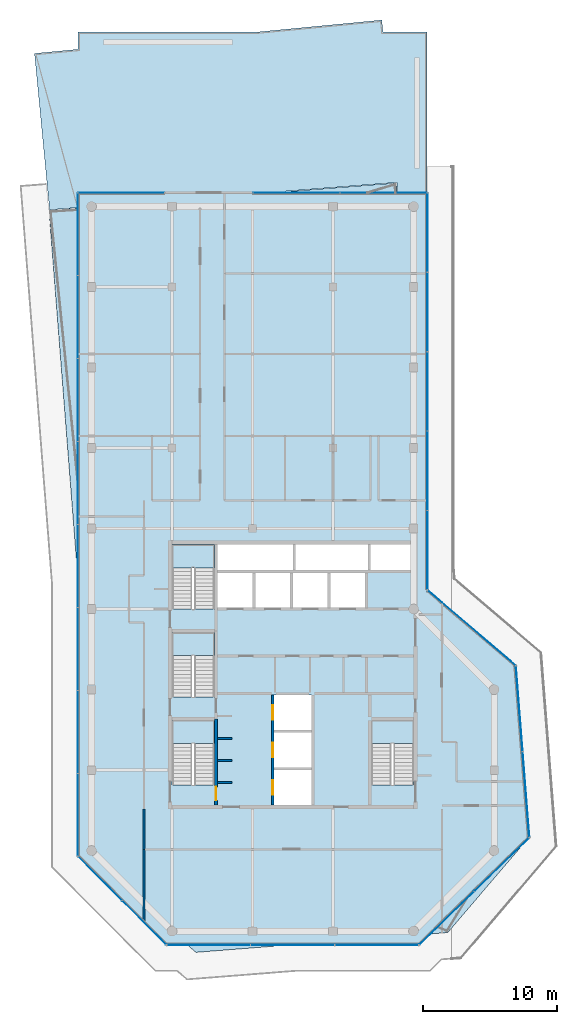
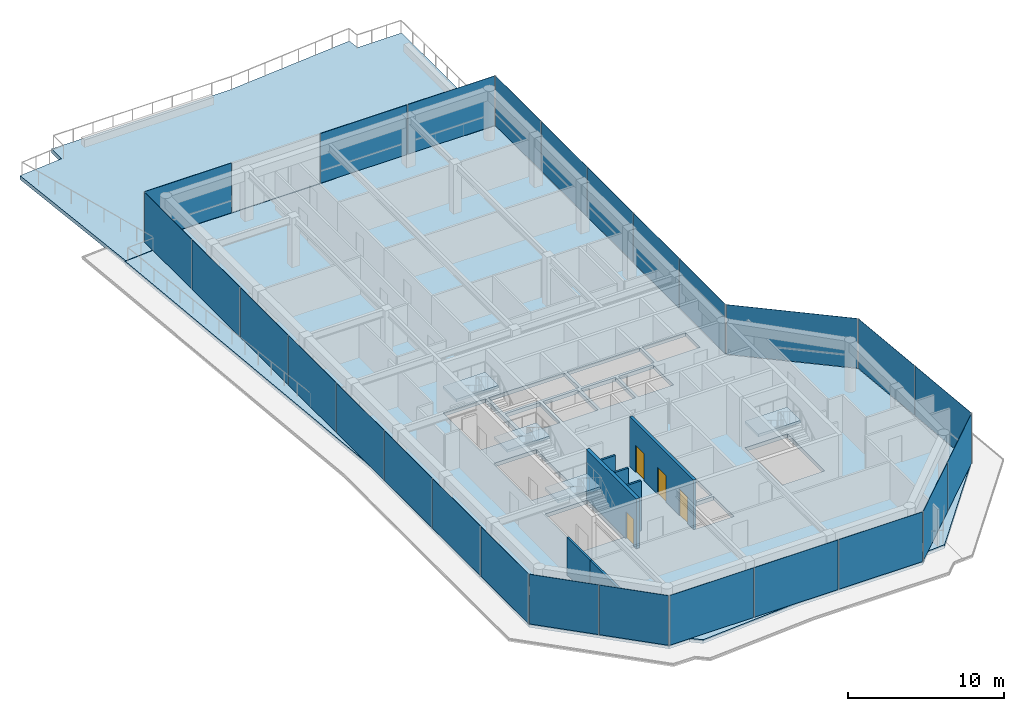
# One storey, part 15 of 20: 26 plates, 7 walls, 6 slabs, 4 doors, 4 openings, 13 elements without a shape of their own.
"""IFC4 building model written with IfcOpenShell, lengths in metres."""

from ifc_helpers import new_model, si_unit, direction, frame, frame_2d, origin, origin_2d, place, context, subcontext, project, spatial, polyline, rectangle, outline, extrude, material, layer, layer_set, type_object, element, fill, aggregate, save


model = new_model("IFC4")

# Units and contexts
model_context = context("Model", 3, precision=1e-05, world=origin(), true_north=direction((0.0, 1.0)))
body_context = subcontext(model_context, "Body", "Model", "MODEL_VIEW")
ifc_project = project(units=[si_unit("LENGTHUNIT", "METRE"), si_unit("AREAUNIT", "SQUARE_METRE"), si_unit("VOLUMEUNIT", "CUBIC_METRE"), si_unit("PLANEANGLEUNIT", "RADIAN"), si_unit("MASSUNIT", "GRAM", prefix="KILO")], contexts=[model_context])

# Site, building, storey
site_placement = place(None, origin())
site = spatial("IfcSite", under=ifc_project, at=site_placement, CompositionType="ELEMENT")
building_placement = place(site_placement, origin())
building = spatial("IfcBuilding", under=site, at=building_placement, Name="Welwitschia Terrace Campus", CompositionType="ELEMENT")
storey_placement = place(building_placement, frame((0.0, 0.0, 314.60009765625)))
storey = spatial("IfcBuildingStorey", under=building, at=storey_placement, Name="L70", CompositionType="ELEMENT", Elevation=314.60009765625)

# Curtain wall, plates
ifc_material_1 = material(Name="Bronze anodised aluminium", Category="aluminium")
ifc_layer_1 = layer(ifc_material_1, 0.10009765625)
ifc_layer_set_1 = layer_set([ifc_layer_1], Name="Bronze anodised aluminium")
curtain_wall_type = type_object("IfcCurtainWallType", Name="Curtain wall CW5 crown 6000", PredefinedType="NOTDEFINED", material=ifc_layer_set_1)
curtain_wall_1_placement = place(storey_placement, origin())
curtain_wall_1 = element("IfcCurtainWall", 1, at=curtain_wall_1_placement, inside=storey, type_object=curtain_wall_type, Name="CW L70.0.0", PredefinedType="NOTDEFINED")
ifc_material_2 = material(Name="Tinted bronze-grey glass", Category="glass")
ifc_layer_2 = layer(ifc_material_2, 0.02392578125)
ifc_layer_set_2 = layer_set([ifc_layer_2], Name="Tinted bronze-grey glass")
plate_type = type_object("IfcPlateType", Name="Glass panel 24 tinted", PredefinedType="CURTAIN_PANEL", material=ifc_layer_set_2)
plate_1_placement = place(storey_placement, frame((0.629638671875, -0.08642578125, 0.0), z_axis=(0.0, 0.0, 1.0), x_axis=(0.707106781187, -0.707106781187, 0.0)))
plate_1 = element("IfcPlate", 2, at=plate_1_placement, type_object=plate_type, Name="Panel L70.0.0.0", PredefinedType="CURTAIN_PANEL", context=body_context, shape_type="SweptSolid", body=[
    extrude(rectangle(XDim=4.59423828125, YDim=0.02392578125, at=origin_2d()), origin(), (0.0, 0.0, 1.0), 3.89990234375),
])
plate_2_placement = place(storey_placement, frame((3.91357421875, -3.370361328125, 0.0), z_axis=(0.0, 0.0, 1.0), x_axis=(0.707106781187, -0.707106781187, 0.0)))
plate_2 = element("IfcPlate", 3, at=plate_2_placement, type_object=plate_type, Name="Panel L70.0.0.1", PredefinedType="CURTAIN_PANEL", context=body_context, shape_type="SweptSolid", body=[
    extrude(rectangle(XDim=4.59423828125, YDim=0.02392578125, at=origin_2d()), origin(), (0.0, 0.0, 1.0), 3.89990234375),
])
aggregate(curtain_wall_1, [plate_1, plate_2])

curtain_wall_2_placement = place(storey_placement, origin())
curtain_wall_2 = element("IfcCurtainWall", 4, at=curtain_wall_2_placement, inside=storey, type_object=curtain_wall_type, Name="CW L70.1.0", PredefinedType="NOTDEFINED")
plate_3_placement = place(storey_placement, frame((8.724365234375, -5.030029296875, 0.0), z_axis=(0.0, 0.0, 1.0), x_axis=(1.0, 0.0, 0.0)))
plate_3 = element("IfcPlate", 5, at=plate_3_placement, type_object=plate_type, Name="Panel L70.1.0.0", PredefinedType="CURTAIN_PANEL", context=body_context, shape_type="SweptSolid", body=[
    extrude(rectangle(XDim=6.201904296875, YDim=0.02392578125, at=origin_2d()), origin(), (0.0, 0.0, 1.0), 3.89990234375),
])
plate_4_placement = place(storey_placement, frame((14.98876953125, -5.030029296875, 0.0), z_axis=(0.0, 0.0, 1.0), x_axis=(1.0, 0.0, 0.0)))
plate_4 = element("IfcPlate", 6, at=plate_4_placement, type_object=plate_type, Name="Panel L70.1.0.1", PredefinedType="CURTAIN_PANEL", context=body_context, shape_type="SweptSolid", body=[
    extrude(rectangle(XDim=6.22705078125, YDim=0.02392578125, at=origin_2d()), origin(), (0.0, 0.0, 1.0), 3.89990234375),
])
plate_5_placement = place(storey_placement, frame((21.25341796875, -5.030029296875, 0.0), z_axis=(0.0, 0.0, 1.0), x_axis=(1.0, 0.0, 0.0)))
plate_5 = element("IfcPlate", 7, at=plate_5_placement, type_object=plate_type, Name="Panel L70.1.0.2", PredefinedType="CURTAIN_PANEL", context=body_context, shape_type="SweptSolid", body=[
    extrude(rectangle(XDim=6.201904296875, YDim=0.02392578125, at=origin_2d()), origin(), (0.0, 0.0, 1.0), 3.89990234375),
])
aggregate(curtain_wall_2, [plate_3, plate_4, plate_5])

curtain_wall_3_placement = place(storey_placement, origin())
curtain_wall_3 = element("IfcCurtainWall", 8, at=curtain_wall_3_placement, inside=storey, type_object=curtain_wall_type, Name="CW L70.2.0", PredefinedType="NOTDEFINED")
plate_6_placement = place(storey_placement, frame((26.469482421875, -3.021484375, 0.0), z_axis=(0.0, 0.0, 1.0), x_axis=(0.716866964255, 0.697209979532, 0.0)))
plate_6 = element("IfcPlate", 9, at=plate_6_placement, type_object=plate_type, Name="Panel L70.2.0.0", PredefinedType="CURTAIN_PANEL", context=body_context, shape_type="SweptSolid", body=[
    extrude(rectangle(XDim=5.661865234375, YDim=0.02392578125, at=origin_2d()), origin(), (0.0, 0.0, 1.0), 3.89990234375),
])
plate_7_placement = place(storey_placement, frame((30.564208984375, 0.9609375, 0.0), z_axis=(0.0, 0.0, 1.0), x_axis=(0.716866964255, 0.697209979532, 0.0)))
plate_7 = element("IfcPlate", 10, at=plate_7_placement, type_object=plate_type, Name="Panel L70.2.0.1", PredefinedType="CURTAIN_PANEL", context=body_context, shape_type="SweptSolid", body=[
    extrude(rectangle(XDim=5.661865234375, YDim=0.02392578125, at=origin_2d()), origin(), (0.0, 0.0, 1.0), 3.89990234375),
])
aggregate(curtain_wall_3, [plate_6, plate_7])

curtain_wall_4_placement = place(storey_placement, origin())
curtain_wall_4 = element("IfcCurtainWall", 11, at=curtain_wall_4_placement, inside=storey, type_object=curtain_wall_type, Name="CW L70.3.0", PredefinedType="NOTDEFINED")
plate_8_placement = place(storey_placement, frame((32.376220703125, 6.185302734375, 0.0), z_axis=(0.0, 0.0, 1.0), x_axis=(-0.078459095728, 0.996917333733, 0.0)))
plate_8 = element("IfcPlate", 12, at=plate_8_placement, type_object=plate_type, Name="Panel L70.3.0.0", PredefinedType="CURTAIN_PANEL", context=body_context, shape_type="SweptSolid", body=[
    extrude(rectangle(XDim=6.3515625, YDim=0.02392578125, at=origin_2d()), origin(), (0.0, 0.0, 1.0), 3.89990234375),
])
plate_9_placement = place(storey_placement, frame((31.8740234375, 12.5673828125, 0.0), z_axis=(0.0, 0.0, 1.0), x_axis=(-0.078459095728, 0.996917333733, 0.0)))
plate_9 = element("IfcPlate", 13, at=plate_9_placement, type_object=plate_type, Name="Panel L70.3.0.1", PredefinedType="CURTAIN_PANEL", context=body_context, shape_type="SweptSolid", body=[
    extrude(rectangle(XDim=6.3515625, YDim=0.02392578125, at=origin_2d()), origin(), (0.0, 0.0, 1.0), 3.89990234375),
])
aggregate(curtain_wall_4, [plate_8, plate_9])

# Curtain wall, plate
curtain_wall_5_placement = place(storey_placement, origin())
curtain_wall_5 = element("IfcCurtainWall", 14, at=curtain_wall_5_placement, inside=storey, type_object=curtain_wall_type, Name="CW L70.4.0", PredefinedType="NOTDEFINED")
plate_10_placement = place(storey_placement, frame((28.325439453125, 18.59765625, 0.0), z_axis=(0.0, 0.0, 1.0), x_axis=(-0.7604059656, 0.64944804833, 0.0)))
plate_10 = element("IfcPlate", 15, at=plate_10_placement, type_object=plate_type, Name="Panel L70.4.0.0", PredefinedType="CURTAIN_PANEL", context=body_context, shape_type="SweptSolid", body=[
    extrude(rectangle(XDim=8.567626953125, YDim=0.02392578125, at=origin_2d()), origin(), (0.0, 0.0, 1.0), 3.89990234375),
])
aggregate(curtain_wall_5, [plate_10])

# Curtain wall, plates
curtain_wall_6_placement = place(storey_placement, origin())
curtain_wall_6 = element("IfcCurtainWall", 16, at=curtain_wall_6_placement, inside=storey, type_object=curtain_wall_type, Name="CW L70.5.0", PredefinedType="NOTDEFINED")
plate_11_placement = place(storey_placement, frame((25.030029296875, 24.386474609375, 0.0), z_axis=(0.0, 0.0, 1.0), x_axis=(0.0, 1.0, 0.0)))
plate_11 = element("IfcPlate", 17, at=plate_11_placement, type_object=plate_type, Name="Panel L70.5.0.0", PredefinedType="CURTAIN_PANEL", context=body_context, shape_type="SweptSolid", body=[
    extrude(rectangle(XDim=5.8486328125, YDim=0.02392578125, at=origin_2d()), origin(), (0.0, 0.0, 1.0), 3.89990234375),
])
plate_12_placement = place(storey_placement, frame((25.030029296875, 30.297607421875, 0.0), z_axis=(0.0, 0.0, 1.0), x_axis=(0.0, 1.0, 0.0)))
plate_12 = element("IfcPlate", 18, at=plate_12_placement, type_object=plate_type, Name="Panel L70.5.0.1", PredefinedType="CURTAIN_PANEL", context=body_context, shape_type="SweptSolid", body=[
    extrude(rectangle(XDim=5.87353515625, YDim=0.02392578125, at=origin_2d()), origin(), (0.0, 0.0, 1.0), 3.89990234375),
])
plate_13_placement = place(storey_placement, frame((25.030029296875, 36.22119140625, 0.0), z_axis=(0.0, 0.0, 1.0), x_axis=(0.0, 1.0, 0.0)))
plate_13 = element("IfcPlate", 19, at=plate_13_placement, type_object=plate_type, Name="Panel L70.5.0.2", PredefinedType="CURTAIN_PANEL", context=body_context, shape_type="SweptSolid", body=[
    extrude(rectangle(XDim=5.87353515625, YDim=0.02392578125, at=origin_2d()), origin(), (0.0, 0.0, 1.0), 3.89990234375),
])
plate_14_placement = place(storey_placement, frame((25.030029296875, 42.144775390625, 0.0), z_axis=(0.0, 0.0, 1.0), x_axis=(0.0, 1.0, 0.0)))
plate_14 = element("IfcPlate", 20, at=plate_14_placement, type_object=plate_type, Name="Panel L70.5.0.3", PredefinedType="CURTAIN_PANEL", context=body_context, shape_type="SweptSolid", body=[
    extrude(rectangle(XDim=5.87353515625, YDim=0.02392578125, at=origin_2d()), origin(), (0.0, 0.0, 1.0), 3.89990234375),
])
plate_15_placement = place(storey_placement, frame((25.030029296875, 48.0556640625, 0.0), z_axis=(0.0, 0.0, 1.0), x_axis=(0.0, 1.0, 0.0)))
plate_15 = element("IfcPlate", 21, at=plate_15_placement, type_object=plate_type, Name="Panel L70.5.0.4", PredefinedType="CURTAIN_PANEL", context=body_context, shape_type="SweptSolid", body=[
    extrude(rectangle(XDim=5.8486328125, YDim=0.02392578125, at=origin_2d()), origin(), (0.0, 0.0, 1.0), 3.89990234375),
])
aggregate(curtain_wall_6, [plate_11, plate_12, plate_13, plate_14, plate_15])

curtain_wall_7_placement = place(storey_placement, origin())
curtain_wall_7 = element("IfcCurtainWall", 22, at=curtain_wall_7_placement, inside=storey, type_object=curtain_wall_type, Name="CW L70.6.0", PredefinedType="NOTDEFINED")
plate_16_placement = place(storey_placement, frame((21.760009765625, 51.030029296875, 0.0), z_axis=(0.0, 0.0, 1.0), x_axis=(-1.0, 0.0, 0.0)))
plate_16 = element("IfcPlate", 23, at=plate_16_placement, type_object=plate_type, Name="Panel L70.6.0.0", PredefinedType="CURTAIN_PANEL", context=body_context, shape_type="SweptSolid", body=[
    extrude(rectangle(XDim=6.43994140625, YDim=0.02392578125, at=origin_2d()), origin(), (0.0, 0.0, 1.0), 3.89990234375),
])
plate_17_placement = place(storey_placement, frame((15.27001953125, 51.030029296875, 0.0), z_axis=(0.0, 0.0, 1.0), x_axis=(-1.0, 0.0, 0.0)))
plate_17 = element("IfcPlate", 24, at=plate_17_placement, type_object=plate_type, Name="Panel L70.6.0.1", PredefinedType="CURTAIN_PANEL", context=body_context, shape_type="SweptSolid", body=[
    extrude(rectangle(XDim=6.43994140625, YDim=0.02392578125, at=origin_2d()), origin(), (0.0, 0.0, 1.0), 3.89990234375),
])
aggregate(curtain_wall_7, [plate_16, plate_17])

# Curtain wall, plate
curtain_wall_8_placement = place(storey_placement, origin())
curtain_wall_8 = element("IfcCurtainWall", 25, at=curtain_wall_8_placement, inside=storey, type_object=curtain_wall_type, Name="CW L70.6.3", PredefinedType="NOTDEFINED")
plate_18_placement = place(storey_placement, frame((2.2275390625, 51.030029296875, 0.0), z_axis=(0.0, 0.0, 1.0), x_axis=(-1.0, 0.0, 0.0)))
plate_18 = element("IfcPlate", 26, at=plate_18_placement, type_object=plate_type, Name="Panel L70.6.3.0", PredefinedType="CURTAIN_PANEL", context=body_context, shape_type="SweptSolid", body=[
    extrude(rectangle(XDim=6.4150390625, YDim=0.02392578125, at=origin_2d()), origin(), (0.0, 0.0, 1.0), 3.89990234375),
])
aggregate(curtain_wall_8, [plate_18])

# Curtain wall, plates
curtain_wall_9_placement = place(storey_placement, origin())
curtain_wall_9 = element("IfcCurtainWall", 27, at=curtain_wall_9_placement, inside=storey, type_object=curtain_wall_type, Name="CW L70.7.0", PredefinedType="NOTDEFINED")
plate_19_placement = place(storey_placement, frame((-1.030029296875, 47.926513671875, 0.0), z_axis=(0.0, 0.0, 1.0), x_axis=(0.0, -1.0, 0.0)))
plate_19 = element("IfcPlate", 28, at=plate_19_placement, type_object=plate_type, Name="Panel L70.7.0.0", PredefinedType="CURTAIN_PANEL", context=body_context, shape_type="SweptSolid", body=[
    extrude(rectangle(XDim=6.107177734375, YDim=0.02392578125, at=origin_2d()), origin(), (0.0, 0.0, 1.0), 3.89990234375),
])
plate_20_placement = place(storey_placement, frame((-1.030029296875, 41.7568359375, 0.0), z_axis=(0.0, 0.0, 1.0), x_axis=(0.0, -1.0, 0.0)))
plate_20 = element("IfcPlate", 29, at=plate_20_placement, type_object=plate_type, Name="Panel L70.7.0.1", PredefinedType="CURTAIN_PANEL", context=body_context, shape_type="SweptSolid", body=[
    extrude(rectangle(XDim=6.132080078125, YDim=0.02392578125, at=origin_2d()), origin(), (0.0, 0.0, 1.0), 3.89990234375),
])
plate_21_placement = place(storey_placement, frame((-1.030029296875, 35.57470703125, 0.0), z_axis=(0.0, 0.0, 1.0), x_axis=(0.0, -1.0, 0.0)))
plate_21 = element("IfcPlate", 30, at=plate_21_placement, type_object=plate_type, Name="Panel L70.7.0.2", PredefinedType="CURTAIN_PANEL", context=body_context, shape_type="SweptSolid", body=[
    extrude(rectangle(XDim=6.132080078125, YDim=0.02392578125, at=origin_2d()), origin(), (0.0, 0.0, 1.0), 3.89990234375),
])
plate_22_placement = place(storey_placement, frame((-1.030029296875, 29.392822265625, 0.0), z_axis=(0.0, 0.0, 1.0), x_axis=(0.0, -1.0, 0.0)))
plate_22 = element("IfcPlate", 31, at=plate_22_placement, type_object=plate_type, Name="Panel L70.7.0.3", PredefinedType="CURTAIN_PANEL", context=body_context, shape_type="SweptSolid", body=[
    extrude(rectangle(XDim=6.132080078125, YDim=0.02392578125, at=origin_2d()), origin(), (0.0, 0.0, 1.0), 3.89990234375),
])
plate_23_placement = place(storey_placement, frame((-1.030029296875, 23.210693359375, 0.0), z_axis=(0.0, 0.0, 1.0), x_axis=(0.0, -1.0, 0.0)))
plate_23 = element("IfcPlate", 32, at=plate_23_placement, type_object=plate_type, Name="Panel L70.7.0.4", PredefinedType="CURTAIN_PANEL", context=body_context, shape_type="SweptSolid", body=[
    extrude(rectangle(XDim=6.132080078125, YDim=0.02392578125, at=origin_2d()), origin(), (0.0, 0.0, 1.0), 3.89990234375),
])
plate_24_placement = place(storey_placement, frame((-1.030029296875, 17.028564453125, 0.0), z_axis=(0.0, 0.0, 1.0), x_axis=(0.0, -1.0, 0.0)))
plate_24 = element("IfcPlate", 33, at=plate_24_placement, type_object=plate_type, Name="Panel L70.7.0.5", PredefinedType="CURTAIN_PANEL", context=body_context, shape_type="SweptSolid", body=[
    extrude(rectangle(XDim=6.132080078125, YDim=0.02392578125, at=origin_2d()), origin(), (0.0, 0.0, 1.0), 3.89990234375),
])
plate_25_placement = place(storey_placement, frame((-1.030029296875, 10.846435546875, 0.0), z_axis=(0.0, 0.0, 1.0), x_axis=(0.0, -1.0, 0.0)))
plate_25 = element("IfcPlate", 34, at=plate_25_placement, type_object=plate_type, Name="Panel L70.7.0.6", PredefinedType="CURTAIN_PANEL", context=body_context, shape_type="SweptSolid", body=[
    extrude(rectangle(XDim=6.132080078125, YDim=0.02392578125, at=origin_2d()), origin(), (0.0, 0.0, 1.0), 3.89990234375),
])
plate_26_placement = place(storey_placement, frame((-1.030029296875, 4.677001953125, 0.0), z_axis=(0.0, 0.0, 1.0), x_axis=(0.0, -1.0, 0.0)))
plate_26 = element("IfcPlate", 35, at=plate_26_placement, type_object=plate_type, Name="Panel L70.7.0.7", PredefinedType="CURTAIN_PANEL", context=body_context, shape_type="SweptSolid", body=[
    extrude(rectangle(XDim=6.107177734375, YDim=0.02392578125, at=origin_2d()), origin(), (0.0, 0.0, 1.0), 3.89990234375),
])
aggregate(curtain_wall_9, [plate_19, plate_20, plate_21, plate_22, plate_23, plate_24, plate_25, plate_26])

# Stair, slab
ifc_material_3 = material(Name="Concrete C40/50", Category="concrete")
stair_type = type_object("IfcStairType", Name="Stair 24R 175 W1500", PredefinedType="HALF_TURN_STAIR", material=ifc_material_3)
stair_1_placement = place(storey_placement, origin())
stair_1 = element("IfcStair", 36, at=stair_1_placement, inside=storey, type_object=stair_type, Name="L70 Exit stair S1", PredefinedType="HALF_TURN_STAIR")
ifc_material_4 = material(Name="Concrete C40/50", Category="concrete")
ifc_layer_3 = layer(ifc_material_4, 0.199951171875)
ifc_layer_set_3 = layer_set([ifc_layer_3], Name="Concrete C40/50")
slab_type_1 = type_object("IfcSlabType", Name="Stair landing RC", PredefinedType="LANDING", material=ifc_layer_set_3)
slab_1_placement = place(storey_placement, frame((0.0, 0.0, 1.89990234375)))
slab_1 = element("IfcSlab", 37, at=slab_1_placement, type_object=slab_type_1, Name="S1 landing 1", PredefinedType="LANDING", context=body_context, shape_type="SweptSolid", body=[
    extrude(outline(polyline([(9.14990234375, 9.97998046875), (9.14990234375, 11.699951171875), (6.0, 11.699951171875), (6.0, 9.97998046875), (9.14990234375, 9.97998046875)])), origin(), (0.0, 0.0, 1.0), 0.199951171875),
])
aggregate(stair_1, [slab_1])

stair_2_placement = place(storey_placement, origin())
stair_2 = element("IfcStair", 38, at=stair_2_placement, inside=storey, type_object=stair_type, Name="L70 Exit stair S3", PredefinedType="HALF_TURN_STAIR")
slab_2_placement = place(storey_placement, frame((0.0, 0.0, 1.89990234375)))
slab_2 = element("IfcSlab", 39, at=slab_2_placement, type_object=slab_type_1, Name="S3 landing 1", PredefinedType="LANDING", context=body_context, shape_type="SweptSolid", body=[
    extrude(outline(polyline([(9.14990234375, 16.530029296875), (9.14990234375, 18.25), (6.0, 18.25), (6.0, 16.530029296875), (9.14990234375, 16.530029296875)])), origin(), (0.0, 0.0, 1.0), 0.199951171875),
])
aggregate(stair_2, [slab_2])

stair_3_placement = place(storey_placement, origin())
stair_3 = element("IfcStair", 40, at=stair_3_placement, inside=storey, type_object=stair_type, Name="L70 Exit stair S4", PredefinedType="HALF_TURN_STAIR")
slab_3_placement = place(storey_placement, frame((0.0, 0.0, 1.89990234375)))
slab_3 = element("IfcSlab", 41, at=slab_3_placement, type_object=slab_type_1, Name="S4 landing 1", PredefinedType="LANDING", context=body_context, shape_type="SweptSolid", body=[
    extrude(outline(polyline([(9.14990234375, 23.080078125), (9.14990234375, 24.800048828125), (6.0, 24.800048828125), (6.0, 23.080078125), (9.14990234375, 23.080078125)])), origin(), (0.0, 0.0, 1.0), 0.199951171875),
])
aggregate(stair_3, [slab_3])

stair_4_placement = place(storey_placement, origin())
stair_4 = element("IfcStair", 42, at=stair_4_placement, inside=storey, type_object=stair_type, Name="L70 Exit stair S2", PredefinedType="HALF_TURN_STAIR")
slab_4_placement = place(storey_placement, frame((0.0, 0.0, 1.89990234375)))
slab_4 = element("IfcSlab", 43, at=slab_4_placement, type_object=slab_type_1, Name="S2 landing 1", PredefinedType="LANDING", context=body_context, shape_type="SweptSolid", body=[
    extrude(outline(polyline([(24.0, 9.97998046875), (24.0, 11.699951171875), (20.85009765625, 11.699951171875), (20.85009765625, 9.97998046875), (24.0, 9.97998046875)])), origin(), (0.0, 0.0, 1.0), 0.199951171875),
])
aggregate(stair_4, [slab_4])

# Slabs
ifc_material_5 = material(Name="Concrete C40/50", Category="concrete")
ifc_layer_4 = layer(ifc_material_5, 0.300048828125)
ifc_layer_set_4 = layer_set([ifc_layer_4], Name="Concrete C40/50")
slab_type_2 = type_object("IfcSlabType", Name="Suspended floor slab 300", PredefinedType="FLOOR", material=ifc_layer_set_4)
slab_5_placement = place(storey_placement, frame((0.0, 0.0, -0.300048828125)))
element("IfcSlab", 44, at=slab_5_placement, inside=storey, type_object=slab_type_2, Name="Floor slab L70", PredefinedType="FLOOR", context=body_context, shape_type="SweptSolid", body=[
    extrude(outline(polyline([(-3.126708984375, 49.73486328125), (-3.12548828125, 49.719970703125), (-0.998779296875, 49.887451171875), (-0.997314453125, 49.887451171875), (-0.995849609375, 49.887939453125), (-0.994384765625, 49.888427734375), (-0.9931640625, 49.888916015625), (-0.991943359375, 49.8896484375), (-0.99072265625, 49.890625), (-0.989501953125, 49.8916015625), (-0.988525390625, 49.892578125), (-0.987548828125, 49.893798828125), (-0.98681640625, 49.895263671875), (-0.986083984375, 49.896484375), (-0.985595703125, 49.89794921875), (-0.9853515625, 49.8994140625), (-0.985107421875, 49.90087890625), (-0.985107421875, 49.90234375), (-0.985107421875, 50.985107421875), (12.947509765625, 50.985107421875), (12.94873046875, 50.985107421875), (22.72607421875, 51.754638671875), (22.78564453125, 50.998779296875), (22.785888671875, 50.997314453125), (22.7861328125, 50.995849609375), (22.78662109375, 50.994384765625), (22.787353515625, 50.9931640625), (22.7880859375, 50.991943359375), (22.788818359375, 50.99072265625), (22.789794921875, 50.989501953125), (22.791015625, 50.988525390625), (22.792236328125, 50.987548828125), (22.79345703125, 50.98681640625), (22.794921875, 50.986083984375), (22.796142578125, 50.985595703125), (22.797607421875, 50.9853515625), (22.799072265625, 50.985107421875), (22.800537109375, 50.985107421875), (25.0, 50.985107421875), (25.0, 23.05419921875), (25.1396484375, 21.279296875), (31.592041015625, 15.768310546875), (32.598388671875, 2.9794921875), (26.5498046875, -4.1025390625), (25.205810546875, -4.20849609375), (24.414306640625, -5.0), (15.147705078125, -5.0), (7.779296875, -5.579833984375), (7.100341796875, -5.0), (5.585693359375, -5.0), (-1.0, 1.585693359375), (-1.0, 22.03271484375), (-3.179931640625, 49.730712890625), (-3.126708984375, 49.73486328125)]), holes=[polyline([(13.60009765625, 5.39990234375), (16.39990234375, 5.39990234375), (16.39990234375, 8.0), (13.60009765625, 8.0), (13.60009765625, 5.39990234375)]), polyline([(6.0, 11.699951171875), (6.0, 6.902099609375), (9.14990234375, 6.902099609375), (9.14990234375, 11.699951171875), (6.0, 11.699951171875)]), polyline([(6.0, 18.25), (6.0, 13.451904296875), (9.14990234375, 13.451904296875), (9.14990234375, 18.25), (6.0, 18.25)]), polyline([(9.39990234375, 22.699951171875), (9.39990234375, 20.10009765625), (12.0, 20.10009765625), (12.0, 22.699951171875), (9.39990234375, 22.699951171875)]), polyline([(12.199951171875, 22.699951171875), (12.199951171875, 20.10009765625), (14.800048828125, 20.10009765625), (14.800048828125, 22.699951171875), (12.199951171875, 22.699951171875)]), polyline([(6.0, 24.800048828125), (6.0, 20.001953125), (9.14990234375, 20.001953125), (9.14990234375, 24.800048828125), (6.0, 24.800048828125)]), polyline([(9.39990234375, 24.800048828125), (9.39990234375, 22.89990234375), (15.0, 22.89990234375), (15.0, 24.800048828125), (9.39990234375, 24.800048828125)]), polyline([(20.85009765625, 6.902099609375), (24.0, 6.902099609375), (24.0, 11.699951171875), (20.85009765625, 11.699951171875), (20.85009765625, 6.902099609375)]), polyline([(13.60009765625, 10.800048828125), (13.60009765625, 8.199951171875), (16.39990234375, 8.199951171875), (16.39990234375, 10.800048828125), (13.60009765625, 10.800048828125)]), polyline([(13.60009765625, 13.60009765625), (13.60009765625, 11.0), (16.39990234375, 11.0), (16.39990234375, 13.60009765625), (13.60009765625, 13.60009765625)]), polyline([(15.0, 22.699951171875), (15.0, 20.10009765625), (17.60009765625, 20.10009765625), (17.60009765625, 22.699951171875), (15.0, 22.699951171875)]), polyline([(17.800048828125, 22.699951171875), (17.800048828125, 20.10009765625), (20.39990234375, 20.10009765625), (20.39990234375, 22.699951171875), (17.800048828125, 22.699951171875)]), polyline([(15.199951171875, 24.800048828125), (15.199951171875, 22.89990234375), (20.60009765625, 22.89990234375), (20.60009765625, 24.800048828125), (15.199951171875, 24.800048828125)]), polyline([(20.800048828125, 24.800048828125), (20.800048828125, 22.89990234375), (24.0, 22.89990234375), (24.0, 24.800048828125), (20.800048828125, 24.800048828125)])]), origin(), (0.0, 0.0, 1.0), 0.300048828125),
])
ifc_material_6 = material(Name="Concrete C40/50", Category="concrete")
ifc_layer_5 = layer(ifc_material_6, 0.300048828125)
ifc_layer_set_5 = layer_set([ifc_layer_5], Name="Concrete C40/50")
slab_type_3 = type_object("IfcSlabType", Name="Terrace slab 300", PredefinedType="FLOOR", material=ifc_layer_set_5)
slab_6_placement = place(storey_placement, frame((0.0, 0.0, -0.300048828125)))
element("IfcSlab", 45, at=slab_6_placement, inside=storey, type_object=slab_type_3, Name="Terrace slab", PredefinedType="FLOOR", context=body_context, shape_type="SweptSolid", body=[
    extrude(outline(polyline([(-4.24853515625, 61.405517578125), (-1.0, 61.71826171875), (-1.0, 63.0), (12.310546875, 63.0), (21.6318359375, 63.8974609375), (21.71826171875, 63.0), (25.0, 63.0), (25.0, 51.014892578125), (22.814453125, 51.014892578125), (22.7548828125, 51.77197265625), (22.754638671875, 51.7734375), (22.75439453125, 51.774658203125), (22.75390625, 51.776123046875), (22.75341796875, 51.777587890625), (22.752685546875, 51.77880859375), (22.751708984375, 51.780029296875), (22.750732421875, 51.781005859375), (22.749755859375, 51.781982421875), (22.74853515625, 51.782958984375), (22.747314453125, 51.78369140625), (22.74609375, 51.784423828125), (22.74462890625, 51.784912109375), (22.7431640625, 51.785400390625), (22.74169921875, 51.78564453125), (22.740234375, 51.78564453125), (22.73876953125, 51.78564453125), (12.947021484375, 51.014892578125), (-1.0, 51.014892578125), (-1.00146484375, 51.014892578125), (-1.0029296875, 51.0146484375), (-1.00439453125, 51.014404296875), (-1.005859375, 51.013916015625), (-1.007080078125, 51.01318359375), (-1.00830078125, 51.012451171875), (-1.009521484375, 51.011474609375), (-1.010498046875, 51.010498046875), (-1.011474609375, 51.009521484375), (-1.012451171875, 51.00830078125), (-1.01318359375, 51.007080078125), (-1.013916015625, 51.005859375), (-1.014404296875, 51.00439453125), (-1.0146484375, 51.0029296875), (-1.014892578125, 51.00146484375), (-1.014892578125, 51.0), (-1.014892578125, 49.916259765625), (-3.126220703125, 49.75), (-4.24853515625, 61.405517578125)])), origin(), (0.0, 0.0, 1.0), 0.300048828125),
])

# Walls
ifc_material_7 = material(Name="Concrete C50/60", Category="concrete")
ifc_layer_6 = layer(ifc_material_7, 0.14990234375)
ifc_layer_set_6 = layer_set([ifc_layer_6], Name="Concrete C50/60")
wall_type_1 = type_object("IfcWallType", Name="Core wall 150 Concrete C50/60", PredefinedType="SHEAR", material=ifc_layer_set_6)
for number, where, z_axis, x_axis, name in (
    (46, (9.39990234375, 7.074951171875, 0.0), (0.0, 0.0, 1.0), (1.0, 0.0, 0.0), "Core wall"),
    (47, (9.39990234375, 8.72509765625, 0.0), (0.0, 0.0, 1.0), (1.0, 0.0, 0.0), "Core wall"),
    (48, (9.39990234375, 10.375, 0.0), (0.0, 0.0, 1.0), (1.0, 0.0, 0.0), "Core wall"),
):
    element("IfcWall", number, at=place(storey_placement, frame(where, z_axis=z_axis, x_axis=x_axis)), inside=storey, type_object=wall_type_1, Name=name, PredefinedType="SHEAR", context=body_context, shape_type="SweptSolid", body=[
        extrude(rectangle(XDim=1.050048828125, YDim=0.14990234375, at=frame_2d((0.52490234375, 0.0))), origin(), (0.0, 0.0, 1.0), 3.89990234375),
    ])

# Wall, openings, doors
ifc_material_8 = material(Name="Concrete C50/60", Category="concrete")
ifc_layer_7 = layer(ifc_material_8, 0.199951171875)
ifc_layer_set_7 = layer_set([ifc_layer_7], Name="Concrete C50/60")
wall_type_2 = type_object("IfcWallType", Name="Core wall 200 Concrete C50/60", PredefinedType="SHEAR", material=ifc_layer_set_7)
wall_1_placement = place(storey_placement, frame((13.5, 5.39990234375, 0.0), z_axis=(0.0, 0.0, 1.0), x_axis=(0.0, 1.0, 0.0)))
wall_1 = element("IfcWall", 49, at=wall_1_placement, inside=storey, type_object=wall_type_2, Name="Core wall", PredefinedType="SHEAR", context=body_context, shape_type="SweptSolid", body=[
    extrude(rectangle(XDim=8.2001953125, YDim=0.199951171875, at=frame_2d((4.10009765625, 0.0))), origin(), (0.0, 0.0, 1.0), 3.89990234375),
])
opening_1_placement = place(wall_1_placement, frame((0.75, 0.0, 0.0)))
opening_1 = element("IfcOpeningElement", 50, at=opening_1_placement, cuts=wall_1, Name="Opening LD", PredefinedType="OPENING", context=body_context, shape_type="SweptSolid", body=[
    extrude(rectangle(XDim=1.10009765625, YDim=2.10009765625, at=frame_2d((0.550048828125, 1.050048828125))), frame((0.0, 0.10986328125, 0.0), z_axis=(0.0, -1.0, 0.0), x_axis=(1.0, 0.0, 0.0)), (0.0, 0.0, 1.0), 0.219970703125),
])
opening_2_placement = place(wall_1_placement, frame((3.550048828125, 0.0, 0.0)))
opening_2 = element("IfcOpeningElement", 51, at=opening_2_placement, cuts=wall_1, Name="Opening LD", PredefinedType="OPENING", context=body_context, shape_type="SweptSolid", body=[
    extrude(rectangle(XDim=1.10009765625, YDim=2.10009765625, at=frame_2d((0.550048828125, 1.050048828125))), frame((0.0, 0.10986328125, 0.0), z_axis=(0.0, -1.0, 0.0), x_axis=(1.0, 0.0, 0.0)), (0.0, 0.0, 1.0), 0.219970703125),
])
opening_3_placement = place(wall_1_placement, frame((6.35009765625, 0.0, 0.0)))
opening_3 = element("IfcOpeningElement", 52, at=opening_3_placement, cuts=wall_1, Name="Opening LD", PredefinedType="OPENING", context=body_context, shape_type="SweptSolid", body=[
    extrude(rectangle(XDim=1.10009765625, YDim=2.10009765625, at=frame_2d((0.550048828125, 1.050048828125))), frame((0.0, 0.10986328125, 0.0), z_axis=(0.0, -1.0, 0.0), x_axis=(1.0, 0.0, 0.0)), (0.0, 0.0, 1.0), 0.219970703125),
])
ifc_material_9 = material(Name="Stainless steel 304", Category="steel")
door_type_1 = type_object("IfcDoorType", Name="Lift landing door", OperationType="DOUBLE_DOOR_SLIDING", PredefinedType="DOOR", material=ifc_material_9)
door_1_placement = place(opening_1_placement, origin())
door_1 = element("IfcDoor", 53, at=door_1_placement, inside=storey, type_object=door_type_1, Name="Landing door FF1", OperationType="DOUBLE_DOOR_SLIDING", OverallHeight=2.10009765625, OverallWidth=1.10009765625, PredefinedType="DOOR", context=body_context, shape_type="SweptSolid", body=[
    extrude(rectangle(XDim=1.10009765625, YDim=2.10009765625, at=frame_2d((0.550048828125, 1.050048828125))), frame((0.0, 0.02490234375, 0.0), z_axis=(0.0, -1.0, 0.0), x_axis=(1.0, 0.0, 0.0)), (0.0, 0.0, 1.0), 0.050048828125),
])
fill(opening_1, door_1)
door_2_placement = place(opening_2_placement, origin())
door_2 = element("IfcDoor", 54, at=door_2_placement, inside=storey, type_object=door_type_1, Name="Landing door FF2", OperationType="DOUBLE_DOOR_SLIDING", OverallHeight=2.10009765625, OverallWidth=1.10009765625, PredefinedType="DOOR", context=body_context, shape_type="SweptSolid", body=[
    extrude(rectangle(XDim=1.10009765625, YDim=2.10009765625, at=frame_2d((0.550048828125, 1.050048828125))), frame((0.0, 0.02490234375, 0.0), z_axis=(0.0, -1.0, 0.0), x_axis=(1.0, 0.0, 0.0)), (0.0, 0.0, 1.0), 0.050048828125),
])
fill(opening_2, door_2)
door_3_placement = place(opening_3_placement, origin())
door_3 = element("IfcDoor", 55, at=door_3_placement, inside=storey, type_object=door_type_1, Name="Landing door SV1", OperationType="DOUBLE_DOOR_SLIDING", OverallHeight=2.10009765625, OverallWidth=1.10009765625, PredefinedType="DOOR", context=body_context, shape_type="SweptSolid", body=[
    extrude(rectangle(XDim=1.10009765625, YDim=2.10009765625, at=frame_2d((0.550048828125, 1.050048828125))), frame((0.0, 0.02490234375, 0.0), z_axis=(0.0, -1.0, 0.0), x_axis=(1.0, 0.0, 0.0)), (0.0, 0.0, 1.0), 0.050048828125),
])
fill(opening_3, door_3)

# Wall, opening, door
ifc_material_10 = material(Name="Concrete C50/60", Category="concrete")
ifc_layer_8 = layer(ifc_material_10, 0.25)
ifc_layer_set_8 = layer_set([ifc_layer_8], Name="Concrete C50/60")
wall_type_3 = type_object("IfcWallType", Name="Core wall 250 Concrete C50/60", PredefinedType="SHEAR", material=ifc_layer_set_8)
wall_2_placement = place(storey_placement, frame((9.27490234375, 11.824951171875, 0.0), z_axis=(0.0, 0.0, 1.0), x_axis=(0.0, -1.0, 0.0)))
wall_2 = element("IfcWall", 56, at=wall_2_placement, inside=storey, type_object=wall_type_3, Name="Core wall", PredefinedType="SHEAR", context=body_context, shape_type="SweptSolid", body=[
    extrude(rectangle(XDim=6.425048828125, YDim=0.25, at=frame_2d((3.21240234375, 0.0))), origin(), (0.0, 0.0, 1.0), 3.89990234375),
])
opening_4_placement = place(wall_2_placement, frame((5.074951171875, 0.0, 0.0)))
opening_4 = element("IfcOpeningElement", 57, at=opening_4_placement, cuts=wall_2, Name="Opening DS10", PredefinedType="OPENING", context=body_context, shape_type="SweptSolid", body=[
    extrude(rectangle(XDim=1.0, YDim=2.10009765625, at=frame_2d((0.5, 1.050048828125))), frame((0.0, 0.135009765625, 0.0), z_axis=(0.0, -1.0, 0.0), x_axis=(1.0, 0.0, 0.0)), (0.0, 0.0, 1.0), 0.27001953125),
])
ifc_material_11 = material(Name="Steel S275", Category="steel")
door_type_2 = type_object("IfcDoorType", Name="Core door DS10", OperationType="SINGLE_SWING_LEFT", PredefinedType="DOOR", material=ifc_material_11)
door_4_placement = place(opening_4_placement, origin())
door_4 = element("IfcDoor", 58, at=door_4_placement, inside=storey, type_object=door_type_2, Name="Door S1-FL", OperationType="SINGLE_SWING_RIGHT", OverallHeight=2.10009765625, OverallWidth=1.0, PredefinedType="DOOR", context=body_context, shape_type="SweptSolid", body=[
    extrude(rectangle(XDim=1.0, YDim=2.10009765625, at=frame_2d((0.5, 1.050048828125))), frame((0.0, 0.02490234375, 0.0), z_axis=(0.0, -1.0, 0.0), x_axis=(1.0, 0.0, 0.0)), (0.0, 0.0, 1.0), 0.050048828125),
])
fill(opening_4, door_4)

# Walls
ifc_material_12 = material(Name="Gypsum board on steel studs", Category="steel")
ifc_layer_9 = layer(ifc_material_12, 0.14990234375)
ifc_layer_set_9 = layer_set([ifc_layer_9], Name="Gypsum board on steel studs")
wall_type_4 = type_object("IfcWallType", Name="Corridor partition 150 EI 30", PredefinedType="PARTITIONING", material=ifc_layer_set_9)
wall_3_placement = place(storey_placement, frame((3.89990234375, -3.2900390625, 0.0), z_axis=(0.0, 0.0, 1.0), x_axis=(0.0, 1.0, 0.0)))
element("IfcWall", 59, at=wall_3_placement, inside=storey, type_object=wall_type_4, Name="Partition", PredefinedType="PARTITIONING", context=body_context, shape_type="SweptSolid", body=[
    extrude(rectangle(XDim=5.39013671875, YDim=0.14990234375, at=frame_2d((2.695068359375, 0.0))), origin(), (0.0, 0.0, 1.0), 2.949951171875),
])
wall_4_placement = place(storey_placement, frame((3.89990234375, 2.10009765625, 0.0), z_axis=(0.0, 0.0, 1.0), x_axis=(0.0, 1.0, 0.0)))
element("IfcWall", 60, at=wall_4_placement, inside=storey, type_object=wall_type_4, Name="Partition", PredefinedType="PARTITIONING", context=body_context, shape_type="SweptSolid", body=[
    extrude(rectangle(XDim=3.0, YDim=0.14990234375, at=frame_2d((1.5, 0.0))), origin(), (0.0, 0.0, 1.0), 2.949951171875),
])

save(model, "model.ifc")
